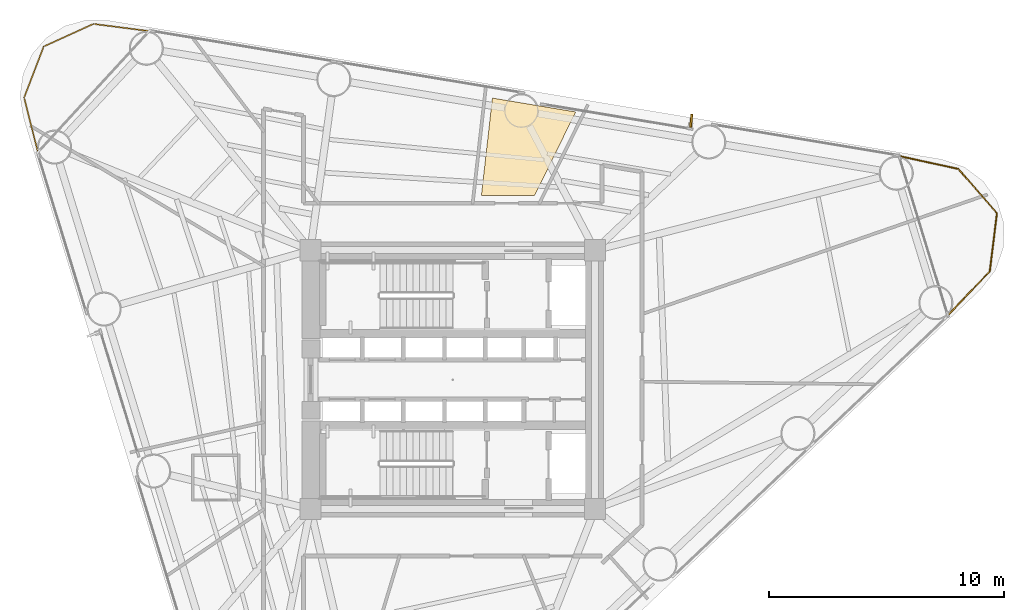
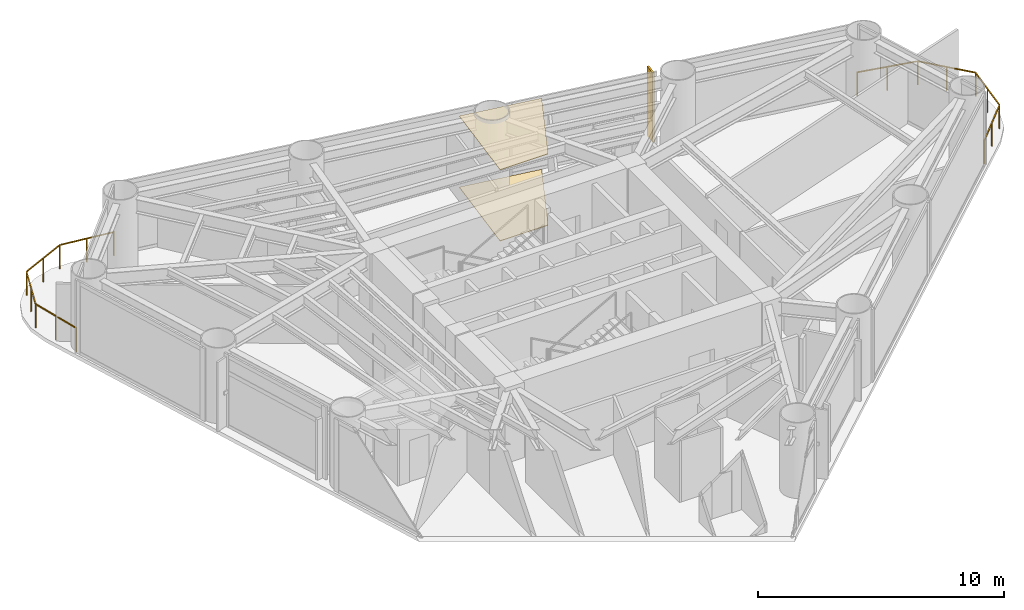
# One storey, part 10 of 10: 2 coverings, 2 railings, 1 shading device.
"""IFC4 building model written with IfcOpenShell, lengths in metres."""

from ifc_helpers import new_model, si_unit, direction, frame, origin, origin_2d, place, context, subcontext, project, spatial, polyline, rectangle, outline, extrude, source, transform, mapped, material, layer, layer_set, material_profile, profile_set, type_object, element, save


model = new_model("IFC4")

# Units and contexts
model_context = context("Model", 3, precision=1e-05, world=origin(), true_north=direction((0.0, 1.0)))
body_context = subcontext(model_context, "Body", "Model", "MODEL_VIEW")
ifc_project = project(units=[si_unit("LENGTHUNIT", "METRE"), si_unit("AREAUNIT", "SQUARE_METRE"), si_unit("VOLUMEUNIT", "CUBIC_METRE"), si_unit("PLANEANGLEUNIT", "RADIAN"), si_unit("MASSUNIT", "GRAM", prefix="KILO")], contexts=[model_context])

# Site, building, storey
site_placement = place(None, origin())
site = spatial("IfcSite", under=ifc_project, at=site_placement, CompositionType="ELEMENT")
building_placement = place(site_placement, origin())
building = spatial("IfcBuilding", under=site, at=building_placement, Name="Yunling Apex Tower", CompositionType="ELEMENT")
storey_placement = place(building_placement, frame((0.0, 0.0, 89.89990234375)))
storey = spatial("IfcBuildingStorey", under=building, at=storey_placement, Name="L22", CompositionType="ELEMENT", Elevation=89.89990234375)

# Coverings
ifc_material_1 = material(Name="Acoustic mineral fibre ceiling")
ifc_layer_1 = layer(ifc_material_1, 0.02490234375)
ifc_layer_set_1 = layer_set([ifc_layer_1], Name="Acoustic mineral fibre ceiling")
covering_type_1 = type_object("IfcCoveringType", Name="CV-CLG-1", PredefinedType="CEILING", material=ifc_layer_set_1)
covering_1_placement = place(storey_placement, frame((0.0, 0.0, 3.5400390625)))
element("IfcCovering", 1, at=covering_1_placement, inside=storey, type_object=covering_type_1, Name="CV-CL-SP-L22-R08", PredefinedType="CEILING", context=body_context, shape_type="SweptSolid", body=[
    extrude(outline(polyline([(1.68603515625, 11.968505859375), (5.226806640625, 11.37841796875), (3.48193359375, 7.830078125), (1.218017578125, 7.830078125), (1.68603515625, 11.968505859375)])), origin(), (0.0, 0.0, 1.0), 0.025146484375),
])
ifc_material_2 = material(Name="Polished granite stone", Category="masonry")
ifc_layer_2 = layer(ifc_material_2, 0.030029296875)
ifc_layer_set_2 = layer_set([ifc_layer_2], Name="Polished granite stone")
covering_type_2 = type_object("IfcCoveringType", Name="CV-FLR-1", PredefinedType="FLOORING", material=ifc_layer_set_2)
covering_2_placement = place(storey_placement, origin())
element("IfcCovering", 2, at=covering_2_placement, inside=storey, type_object=covering_type_2, Name="CV-FL-SP-L22-R08", PredefinedType="FLOORING", context=body_context, shape_type="SweptSolid", body=[
    extrude(outline(polyline([(1.68603515625, 11.968505859375), (5.226806640625, 11.37841796875), (3.48193359375, 7.830078125), (1.218017578125, 7.830078125), (1.68603515625, 11.968505859375)])), origin(), (0.0, 0.0, 1.0), 0.030029296875),
])

# Railings
ifc_material_3 = material(Name="Bronze anodised aluminium", Category="aluminium")
railing_type = type_object("IfcRailingType", Name="RL-BAL-1200", PredefinedType="BALUSTRADE", material=ifc_material_3)
railing_1_placement = place(storey_placement, frame((18.976806640625, 9.5029296875, 0.0)))
element("IfcRailing", 3, at=railing_1_placement, inside=storey, type_object=railing_type, Name="RL-CRNSILL-L22-1", PredefinedType="BALUSTRADE", context=body_context, shape_type="SweptSolid", body=[
    extrude(rectangle(XDim=0.0439453125, YDim=0.0439453125, at=origin_2d()), origin(), (0.0, 0.0, 1.0), 1.199951171875),
    extrude(rectangle(XDim=0.0439453125, YDim=0.0439453125, at=origin_2d()), frame((2.5205078125, -0.54833984375, 0.0)), (0.0, 0.0, 1.0), 1.199951171875),
    extrude(rectangle(XDim=0.050048828125, YDim=0.050048828125, at=origin_2d()), frame((0.037353515625, -0.008056640625, 1.1748046875), z_axis=(0.977143892078, -0.212578959861, 0.0), x_axis=(0.212578959861, 0.977143892078, 0.0)), (0.0, 0.0, 1.0), 2.502685546875),
    extrude(rectangle(XDim=0.0439453125, YDim=0.0439453125, at=origin_2d()), frame((1.26025390625, -0.274169921875, 0.0)), (0.0, 0.0, 1.0), 1.14599609375),
    extrude(rectangle(XDim=0.0439453125, YDim=0.0439453125, at=origin_2d()), frame((4.156005859375, -2.430419921875, 0.0)), (0.0, 0.0, 1.0), 1.199951171875),
    extrude(rectangle(XDim=0.050048828125, YDim=0.050048828125, at=origin_2d()), frame((2.545654296875, -0.577392578125, 1.1748046875), z_axis=(0.655928991852, -0.754822600117, 0.0), x_axis=(0.754822600117, 0.655928991852, 0.0)), (0.0, 0.0, 1.0), 2.416748046875),
    extrude(rectangle(XDim=0.0439453125, YDim=0.0439453125, at=origin_2d()), frame((3.33837890625, -1.4892578125, 0.0)), (0.0, 0.0, 1.0), 1.14599609375),
    extrude(rectangle(XDim=0.0439453125, YDim=0.0439453125, at=origin_2d()), frame((3.8525390625, -4.905517578125, 0.0)), (0.0, 0.0, 1.0), 1.199951171875),
    extrude(rectangle(XDim=0.050048828125, YDim=0.050048828125, at=origin_2d()), frame((4.1513671875, -2.468505859375, 1.1748046875), z_axis=(-0.121696705052, -0.992567333726, 0.0), x_axis=(0.992567333726, -0.121696705052, 0.0)), (0.0, 0.0, 1.0), 2.4169921875),
    extrude(rectangle(XDim=0.0439453125, YDim=0.0439453125, at=origin_2d()), frame((4.00439453125, -3.66796875, 0.0)), (0.0, 0.0, 1.0), 1.14599609375),
    extrude(rectangle(XDim=0.0439453125, YDim=0.0439453125, at=origin_2d()), frame((2.06982421875, -6.76953125, 0.0)), (0.0, 0.0, 1.0), 1.199951171875),
    extrude(rectangle(XDim=0.050048828125, YDim=0.050048828125, at=origin_2d()), frame((3.825927734375, -4.93310546875, 1.1748046875), z_axis=(-0.691171065155, -0.722691191791, 0.0), x_axis=(0.722691191791, -0.691171065155, 0.0)), (0.0, 0.0, 1.0), 2.502685546875),
    extrude(rectangle(XDim=0.0439453125, YDim=0.0439453125, at=origin_2d()), frame((2.961181640625, -5.83740234375, 0.0)), (0.0, 0.0, 1.0), 1.14599609375),
])
railing_2_placement = place(storey_placement, frame((-17.63525390625, 9.6669921875, 0.0)))
element("IfcRailing", 4, at=railing_2_placement, inside=storey, type_object=railing_type, Name="RL-CRNSILL-L22-2", PredefinedType="BALUSTRADE", context=body_context, shape_type="SweptSolid", body=[
    extrude(rectangle(XDim=0.0439453125, YDim=0.0439453125, at=origin_2d()), origin(), (0.0, 0.0, 1.0), 1.199951171875),
    extrude(rectangle(XDim=0.0439453125, YDim=0.0439453125, at=origin_2d()), frame((-0.58642578125, 2.31884765625, 0.0)), (0.0, 0.0, 1.0), 1.199951171875),
    extrude(rectangle(XDim=0.050048828125, YDim=0.050048828125, at=origin_2d()), frame((-0.00927734375, 0.037109375, 1.1748046875), z_axis=(-0.245176585422, 0.96947843811, 0.0), x_axis=(-0.96947843811, -0.245176585422, 0.0)), (0.0, 0.0, 1.0), 2.315185546875),
    extrude(rectangle(XDim=0.0439453125, YDim=0.0439453125, at=origin_2d()), frame((-0.293212890625, 1.159423828125, 0.0)), (0.0, 0.0, 1.0), 1.14599609375),
    extrude(rectangle(XDim=0.0439453125, YDim=0.0439453125, at=origin_2d()), frame((0.2470703125, 4.49267578125, 0.0)), (0.0, 0.0, 1.0), 1.199951171875),
    extrude(rectangle(XDim=0.050048828125, YDim=0.050048828125, at=origin_2d()), frame((-0.57275390625, 2.354736328125, 1.1748046875), z_axis=(0.358009154452, 0.933718075935, 0.0), x_axis=(-0.933718075935, 0.358009154452, 0.0)), (0.0, 0.0, 1.0), 2.25146484375),
    extrude(rectangle(XDim=0.0439453125, YDim=0.0439453125, at=origin_2d()), frame((-0.169677734375, 3.40576171875, 0.0)), (0.0, 0.0, 1.0), 1.14599609375),
    extrude(rectangle(XDim=0.0439453125, YDim=0.0439453125, at=origin_2d()), frame((2.359375, 5.453369140625, 0.0)), (0.0, 0.0, 1.0), 1.199951171875),
    extrude(rectangle(XDim=0.050048828125, YDim=0.050048828125, at=origin_2d()), frame((0.281982421875, 4.508544921875, 1.1748046875), z_axis=(0.910276378893, 0.4140011039, 0.0), x_axis=(-0.4140011039, 0.910276378893, 0.0)), (0.0, 0.0, 1.0), 2.243896484375),
    extrude(rectangle(XDim=0.0439453125, YDim=0.0439453125, at=origin_2d()), frame((1.30322265625, 4.97314453125, 0.0)), (0.0, 0.0, 1.0), 1.14599609375),
    extrude(rectangle(XDim=0.0439453125, YDim=0.0439453125, at=origin_2d()), frame((4.732666015625, 5.14794921875, 0.0)), (0.0, 0.0, 1.0), 1.199951171875),
    extrude(rectangle(XDim=0.050048828125, YDim=0.050048828125, at=origin_2d()), frame((2.3974609375, 5.448486328125, 1.1748046875), z_axis=(0.991820835982, -0.127637883532, 0.0), x_axis=(0.127637883532, 0.991820835982, 0.0)), (0.0, 0.0, 1.0), 2.316162109375),
    extrude(rectangle(XDim=0.0439453125, YDim=0.0439453125, at=origin_2d()), frame((3.5458984375, 5.30078125, 0.0)), (0.0, 0.0, 1.0), 1.14599609375),
])

# Shading device
ifc_material_profile = material_profile(ifc_material_3, rectangle(XDim=0.0849609375, YDim=0.550048828125, at=origin_2d()))
ifc_profile_set = profile_set([ifc_material_profile], Name="Bronze anodised aluminium")
shading_device_type = type_object("IfcShadingDeviceType", Name="FN-BRZ-3", PredefinedType="USERDEFINED", material=ifc_profile_set)
shared_shape = source(origin(), body_context, "Body", "SweptSolid", [
    extrude(rectangle(XDim=0.0849609375, YDim=0.550048828125, at=origin_2d()), origin(), (0.0, 0.0, 1.0), 3.445068359375),
])
shading_device_placement = place(storey_placement, frame((10.135498046875, 11.00146484375, 0.06005859375), z_axis=(0.0, 0.0, 1.0), x_axis=(-0.995038220239, 0.099493418189, 0.0)))
element("IfcShadingDevice", 5, at=shading_device_placement, inside=storey, type_object=shading_device_type, Name="CW-L22-F2-B2-FIN-01", ObjectType="FIN", PredefinedType="USERDEFINED", context=body_context, shape_type="MappedRepresentation", body=[
    mapped(shared_shape, transform((0.0, 0.0, 0.0), scale=1.0)),
])

save(model, "model.ifc")
